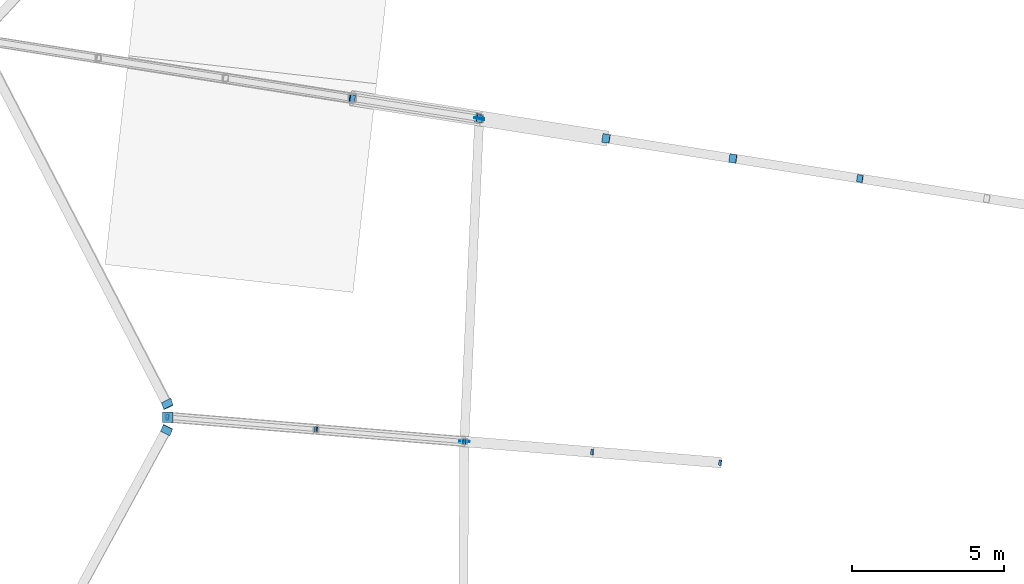
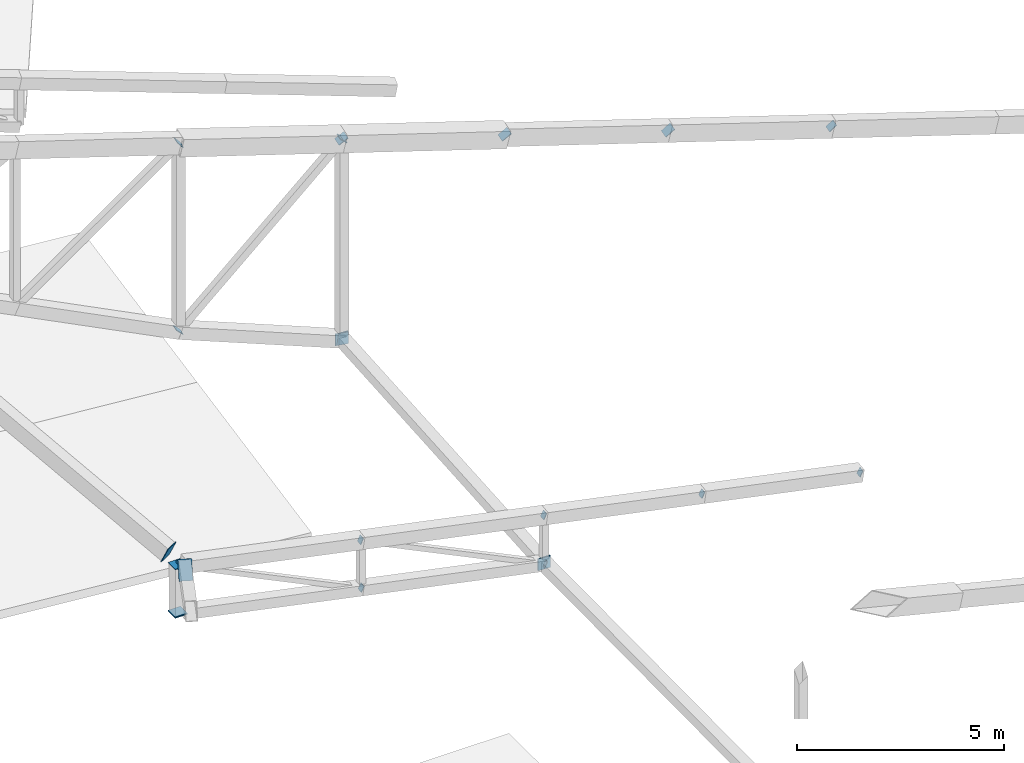
# One storey, part 158 of 188: 23 discrete accessories.
"""IFC4 building model written with IfcOpenShell, lengths in metres."""

import ifcopenshell
import ifcopenshell.guid

model = None  # the IFC model being written
_history = None  # IfcOwnerHistory: only IFC2X3 demands one
_inside = {}  # id of a spatial element -> (the spatial element, [elements in it])
_under = {}  # id of a project, library or spatial element -> (it, [spatial elements below it])
_declared = {}  # id of a project -> (the project, [libraries it declares])
_typed = {}  # id of a type object -> (the type object, [elements of that type])
_made_of = {}  # id of a material, layer set ... -> (it, [elements and type objects made of it])


def new_model(schema):
    """Start an empty IFC model of exactly this schema.

    Asked for "IFC4X3", IfcOpenShell would pick the latest addendum, in which some entities
    have other attributes; the version numbers below select the first issue.
    IFC2X3 requires an IfcOwnerHistory on every rooted entity: one is made here for all.
    """
    global model, _history
    if schema == "IFC4X3":
        model = ifcopenshell.file(schema_version=(4, 3, 0, 0))
    else:
        model = ifcopenshell.file(schema=schema)
    _inside.clear()
    _under.clear()
    _declared.clear()
    _typed.clear()
    _made_of.clear()
    _history = None
    if model.schema == "IFC2X3":
        org = make("IfcOrganization", Name="unknown")
        user = make(
            "IfcPersonAndOrganization",
            ThePerson=make("IfcPerson", FamilyName="unknown"),
            TheOrganization=org,
        )
        app = make(
            "IfcApplication",
            ApplicationDeveloper=org,
            Version="unknown",
            ApplicationFullName="unknown",
            ApplicationIdentifier="unknown",
        )
        _history = make(
            "IfcOwnerHistory",
            OwningUser=user,
            OwningApplication=app,
            ChangeAction="ADDED",
            CreationDate=0,
        )
    return model


def make(cls, **values):
    """One entity of the class cls with the attributes given. An attribute that is None is left unset."""
    return model.create_entity(
        cls, **{name: value for name, value in values.items() if value is not None}
    )


def rooted(cls, **values):
    """An entity with a GlobalId (a new one), such as an element, a storey or a relation."""
    return make(cls, GlobalId=ifcopenshell.guid.new(), OwnerHistory=_history, **values)


def si_unit(unit_type, name, prefix=None):
    """IfcSIUnit, for example si_unit("LENGTHUNIT", "METRE", prefix="MILLI")."""
    return make("IfcSIUnit", UnitType=unit_type, Prefix=prefix, Name=name)


def assignment(units):
    """IfcUnitAssignment: the units of a project."""
    return None if units is None else make("IfcUnitAssignment", Units=units)


def point(xyz):
    """IfcCartesianPoint."""
    return None if xyz is None else make("IfcCartesianPoint", Coordinates=xyz)


def direction(xyz):
    """IfcDirection."""
    return None if xyz is None else make("IfcDirection", DirectionRatios=xyz)


def frame(location, z_axis=None, x_axis=None):
    """IfcAxis2Placement3D, a coordinate frame: its origin and axes. An axis left out is left unset."""
    return make(
        "IfcAxis2Placement3D",
        Location=point(location),
        Axis=direction(z_axis),
        RefDirection=direction(x_axis),
    )


def frame_2d(location, x_axis=None):
    """IfcAxis2Placement2D, a coordinate frame in the plane: its origin and x axis."""
    return make(
        "IfcAxis2Placement2D", Location=point(location), RefDirection=direction(x_axis)
    )


def origin():
    """The frame at (0, 0, 0) with its axes left unset."""
    return frame((0.0, 0.0, 0.0))


def origin_2d():
    """The frame at (0, 0) in the plane with its x axis left unset."""
    return frame_2d((0.0, 0.0))


def place(relative_to, where):
    """IfcLocalPlacement: puts the frame where relative to a parent placement (None: the world)."""
    return make(
        "IfcLocalPlacement", PlacementRelTo=relative_to, RelativePlacement=where
    )


def context(
    kind, dimensions, precision=None, world=None, true_north=None, identifier=None
):
    """IfcGeometricRepresentationContext, for example the 3D "Model" context."""
    return make(
        "IfcGeometricRepresentationContext",
        ContextIdentifier=identifier,
        ContextType=kind,
        CoordinateSpaceDimension=dimensions,
        Precision=precision,
        WorldCoordinateSystem=world,
        TrueNorth=true_north,
    )


def subcontext(parent, identifier, kind, view, scale=None):
    """IfcGeometricRepresentationSubContext, for example "Body" below "Model"."""
    return make(
        "IfcGeometricRepresentationSubContext",
        ContextIdentifier=identifier,
        ContextType=kind,
        ParentContext=parent,
        TargetScale=scale,
        TargetView=view,
    )


def project(units=None, contexts=None):
    """IfcProject with its units and contexts."""
    return rooted(
        "IfcProject",
        Name="project",
        RepresentationContexts=contexts,
        UnitsInContext=assignment(units),
    )


def spatial(cls, under=None, at=None, **own):
    """A site, building, storey or space (cls), placed at a placement, below another one or the project."""
    s = rooted(cls, ObjectPlacement=at, **own)
    if under is not None:
        _under.setdefault(under.id(), (under, []))[1].append(s)
    return s


def profile(cls, at=None, kind="AREA", **sizes):
    """A parametric profile (cls). Its sizes go by their IFC names, for example OverallWidth=200.0."""
    return make(cls, ProfileType=kind, Position=at, **sizes)


def rectangle(**sizes):
    """IfcRectangleProfileDef."""
    return profile("IfcRectangleProfileDef", **sizes)


def extrude(swept, where, along, depth):
    """IfcExtrudedAreaSolid: the profile swept, set in the frame where, extruded along a direction by depth."""
    return make(
        "IfcExtrudedAreaSolid",
        SweptArea=swept,
        Position=where,
        ExtrudedDirection=direction(along),
        Depth=depth,
    )


def shape(context_of_items, identifier, shape_type, items):
    """IfcShapeRepresentation: the items that make up one representation, for example the "Body"."""
    return make(
        "IfcShapeRepresentation",
        ContextOfItems=context_of_items,
        RepresentationIdentifier=identifier,
        RepresentationType=shape_type,
        Items=items,
    )


def material(Name=None, Category=None):
    """IfcMaterial."""
    return make("IfcMaterial", Name=Name, Category=Category)


def material_profile(
    of_material, cross_section, Name=None, Category=None, Priority=None
):
    """IfcMaterialProfile: a cross section and its material."""
    return make(
        "IfcMaterialProfile",
        Name=Name,
        Material=of_material,
        Profile=cross_section,
        Priority=Priority,
        Category=Category,
    )


def profile_set(profiles, Name=None, composite=None):
    """IfcMaterialProfileSet."""
    return make(
        "IfcMaterialProfileSet",
        Name=Name,
        MaterialProfiles=profiles,
        CompositeProfile=composite,
    )


def made_of(thing, what):
    """Note that an element or type object is made of a material, layer set ...; save() writes the relation."""
    if what is not None:
        _made_of.setdefault(what.id(), (what, []))[1].append(thing)
    return thing


def type_object(cls, material=None, **own):
    """A type object (cls), such as IfcWallType, which elements share."""
    return made_of(rooted(cls, **own), material)


def element(
    cls,
    number,
    at=None,
    inside=None,
    cuts=None,
    type_object=None,
    material=None,
    context=None,
    identifier="Body",
    shape_type=None,
    held_by="IfcProductDefinitionShape",
    body=None,
    shapes=None,
    **own,
):
    """One element of the class cls, such as IfcWall. Its Tag is "e" and its number.

    at: its placement. inside: the storey or other place that contains it. cuts: it is an
    opening in that element (IfcRelVoidsElement). A single representation is given by context,
    identifier, shape_type and body (its items); several are given by shapes. held_by: the class
    of the entity that holds the representations. save() writes the other relations.
    """
    e = rooted(cls, Tag="e%d" % number, ObjectPlacement=at, **own)
    if body is not None:
        shapes = [shape(context, identifier, shape_type, body)]
    if shapes is not None:
        e.Representation = make(held_by, Representations=shapes)
    if inside is not None:
        _inside.setdefault(inside.id(), (inside, []))[1].append(e)
    if cuts is not None:
        rooted(
            "IfcRelVoidsElement", RelatingBuildingElement=cuts, RelatedOpeningElement=e
        )
    if type_object is not None:
        _typed.setdefault(type_object.id(), (type_object, []))[1].append(e)
    return made_of(e, material)


def aggregate(whole, parts):
    """IfcRelAggregates: a whole, such as a stair, and the parts it consists of."""
    return rooted("IfcRelAggregates", RelatingObject=whole, RelatedObjects=parts)


def save(model, path):
    """Write the relations noted so far, then the file.

    IfcRelAggregates (storeys below a building ...), IfcRelContainedInSpatialStructure (elements
    in a storey), IfcRelDefinesByType, IfcRelAssociatesMaterial and IfcRelDeclares: one each for
    every whole, place, type object, material and project.
    """
    for whole, parts in _under.values():
        aggregate(whole, parts)
    for where, things in _inside.values():
        rooted(
            "IfcRelContainedInSpatialStructure",
            RelatedElements=things,
            RelatingStructure=where,
        )
    for kind, things in _typed.values():
        rooted("IfcRelDefinesByType", RelatedObjects=things, RelatingType=kind)
    for what, things in _made_of.values():
        rooted("IfcRelAssociatesMaterial", RelatedObjects=things, RelatingMaterial=what)
    for by, libraries in _declared.values():
        rooted("IfcRelDeclares", RelatingContext=by, RelatedDefinitions=libraries)
    model.write(path)


model = new_model("IFC4")

# Units and contexts
model_context = context("Model", 3, precision=1e-05, world=origin(), true_north=direction((0.0, 1.0)))
body_context = subcontext(model_context, "Body", "Model", "MODEL_VIEW")
ifc_project = project(units=[si_unit("LENGTHUNIT", "METRE"), si_unit("AREAUNIT", "SQUARE_METRE"), si_unit("VOLUMEUNIT", "CUBIC_METRE"), si_unit("PLANEANGLEUNIT", "RADIAN"), si_unit("MASSUNIT", "GRAM", prefix="KILO")], contexts=[model_context])

# Site, building, storey
site_placement = place(None, origin())
site = spatial("IfcSite", under=ifc_project, at=site_placement, CompositionType="ELEMENT")
building_placement = place(site_placement, origin())
building = spatial("IfcBuilding", under=site, at=building_placement, Name="Meseta Stadium", CompositionType="ELEMENT")
storey_placement = place(building_placement, frame((0.0, 0.0, 30.0)))
storey = spatial("IfcBuildingStorey", under=building, at=storey_placement, Name="ROOF", CompositionType="ELEMENT", Elevation=30.0)

# Discrete accessories
ifc_material_1 = material(Name="Steel S355", Category="steel")
ifc_material_profile_1 = material_profile(ifc_material_1, rectangle(XDim=0.179931640625, YDim=0.179931640625, at=origin_2d()), Name="PL 180x180")
ifc_profile_set_1 = profile_set([ifc_material_profile_1], Name="Steel S355")
discrete_accessory_type_1 = type_object("IfcDiscreteAccessoryType", Name="End plate 180x180x20", PredefinedType="ANCHORPLATE", material=ifc_profile_set_1)
discrete_accessory_1_placement = place(storey_placement, frame((-76.43798828125, 42.25634765625, 0.93896484375), z_axis=(-0.895999350744, 0.084756695341, 0.435891576038), x_axis=(-0.094174191159, -0.995555735115, 0.0)))
element("IfcDiscreteAccessory", 1, at=discrete_accessory_1_placement, inside=storey, type_object=discrete_accessory_type_1, Name="End plate of ROOF TRUSS RT-29 diagonal", PredefinedType="ANCHORPLATE", context=body_context, shape_type="SweptSolid", body=[
    extrude(rectangle(XDim=0.179931640625, YDim=0.179931640625, at=origin_2d()), origin(), (0.0, 0.0, 1.0), 0.020263671875),
])
discrete_accessory_2_placement = place(storey_placement, frame((-80.64599609375, 42.6025390625, 1.572509765625), z_axis=(-0.901567911708, 0.073100100949, 0.426417255537), x_axis=(-0.080815868766, -0.996729048115, 0.0)))
element("IfcDiscreteAccessory", 2, at=discrete_accessory_2_placement, inside=storey, type_object=discrete_accessory_type_1, Name="End plate of ROOF TRUSS RT-29 diagonal", PredefinedType="ANCHORPLATE", context=body_context, shape_type="SweptSolid", body=[
    extrude(rectangle(XDim=0.179931640625, YDim=0.179931640625, at=origin_2d()), origin(), (0.0, 0.0, 1.0), 0.02001953125),
])
discrete_accessory_3_placement = place(storey_placement, frame((-84.85400390625, 42.948486328125, 2.205810546875), z_axis=(-0.896854406293, 0.072717924835, 0.436307549007), x_axis=(-0.080815868766, -0.996729048115, 0.0)))
element("IfcDiscreteAccessory", 3, at=discrete_accessory_3_placement, inside=storey, type_object=discrete_accessory_type_1, Name="End plate of ROOF TRUSS RT-29 diagonal", PredefinedType="ANCHORPLATE", context=body_context, shape_type="SweptSolid", body=[
    extrude(rectangle(XDim=0.179931640625, YDim=0.179931640625, at=origin_2d()), origin(), (0.0, 0.0, 1.0), 0.020263671875),
])
for number, where, z_axis, x_axis, name in (
    (4, (-84.835693359375, 42.947021484375, 0.7919921875), (-0.912870929175, 0.073029674334, 0.401663208837), (-0.079745222283, -0.996815278536, 0.0), "End plate of ROOF TRUSS RT-29 diagonal"),
    (5, (-89.72705078125, 43.349365234375, 2.939453125), (-0.912870929175, 0.073029674334, 0.401663208837), (-0.079745222283, -0.996815278536, 0.0), "End plate of ROOF TRUSS RT-29 diagonal"),
    (6, (-89.708740234375, 43.34765625, 1.525634765625), (-0.911993136001, 0.08511935936, 0.40127697984), (-0.092929451602, -0.995672695731, 0.0), "End plate of ROOF TRUSS RT-29 diagonal"),
):
    element("IfcDiscreteAccessory", number, at=place(storey_placement, frame(where, z_axis=z_axis, x_axis=x_axis)), inside=storey, type_object=discrete_accessory_type_1, Name=name, PredefinedType="ANCHORPLATE", context=body_context, shape_type="SweptSolid", body=[
        extrude(rectangle(XDim=0.179931640625, YDim=0.179931640625, at=origin_2d()), origin(), (0.0, 0.0, 1.0), 0.02001953125),
    ])
discrete_accessory_4_placement = place(storey_placement, frame((-94.60009765625, 43.75, 3.673095703125), z_axis=(-0.910808035252, 0.073849300156, 0.406171150856), x_axis=(-0.080815868766, -0.996729048115, 0.0)))
element("IfcDiscreteAccessory", 7, at=discrete_accessory_4_placement, inside=storey, type_object=discrete_accessory_type_1, Name="End plate of ROOF TRUSS RT-29 diagonal", PredefinedType="ANCHORPLATE", context=body_context, shape_type="SweptSolid", body=[
    extrude(rectangle(XDim=0.179931640625, YDim=0.179931640625, at=origin_2d()), origin(), (0.0, 0.0, 1.0), 0.019775390625),
])
ifc_material_2 = material(Name="Steel S355", Category="steel")
ifc_material_profile_2 = material_profile(ifc_material_2, rectangle(XDim=0.239990234375, YDim=0.239990234375, at=origin_2d()), Name="PL 240x240")
ifc_profile_set_2 = profile_set([ifc_material_profile_2], Name="Steel S355")
discrete_accessory_type_2 = type_object("IfcDiscreteAccessoryType", Name="End plate 240x240x20", PredefinedType="ANCHORPLATE", material=ifc_profile_set_2)
for number, where, z_axis, x_axis, name in (
    (8, (-71.85205078125, 51.588134765625, 3.87060546875), (-0.633534208227, 0.097466801266, 0.767551059967), (-0.152057184254, -0.988371697651, 0.0), "End plate of ROOF TRUSS RT-28 diagonal"),
    (9, (-84.349853515625, 53.563232421875, 6.697998046875), (-0.671631280833, 0.1099033005, -0.73268867), (-0.161488568111, -0.986874582898, 0.0), "End plate of ROOF TRUSS RT-28 diagonal"),
    (10, (-88.535400390625, 54.224853515625, 2.121337890625), (-0.672484210006, 0.097815885092, -0.733619138188), (-0.143939845714, -0.989586439285, 0.0), "End plate of ROOF TRUSS RT-28 diagonal"),
    (11, (-88.5205078125, 54.222412109375, 7.634521484375), (-0.743184359651, 0.121833501582, -0.657900908544), (-0.161775027066, -0.986827665106, 0.0), "End plate of ROOF TRUSS RT-28 diagonal"),
):
    element("IfcDiscreteAccessory", number, at=place(storey_placement, frame(where, z_axis=z_axis, x_axis=x_axis)), inside=storey, type_object=discrete_accessory_type_2, Name=name, PredefinedType="ANCHORPLATE", context=body_context, shape_type="SweptSolid", body=[
        extrude(rectangle(XDim=0.239990234375, YDim=0.239990234375, at=origin_2d()), origin(), (0.0, 0.0, 1.0), 0.02001953125),
    ])
ifc_material_3 = material(Name="Steel S355", Category="steel")
ifc_material_profile_3 = material_profile(ifc_material_3, rectangle(XDim=0.2900390625, YDim=0.2900390625, at=origin_2d()), Name="PL 290x290")
ifc_profile_set_3 = profile_set([ifc_material_profile_3], Name="Steel S355")
discrete_accessory_type_3 = type_object("IfcDiscreteAccessoryType", Name="End plate 290x290x20", PredefinedType="ANCHORPLATE", material=ifc_profile_set_3)
for number, where, z_axis, x_axis, name in (
    (12, (-76.0224609375, 52.247314453125, 4.808349609375), (-0.599750260135, 0.085678608591, 0.795587079771), (-0.141421356237, -0.989949493661, 0.0), "End plate of ROOF TRUSS RT-28 diagonal"),
    (13, (-80.19287109375, 52.90625, 5.745849609375), (-0.563918618238, 0.085813702775, 0.821359726564), (-0.150441996986, -0.98861883734, 0.0), "End plate of ROOF TRUSS RT-28 diagonal"),
    (14, (-84.36328125, 53.5654296875, 6.683349609375), (-0.535709697438, 0.085226542774, 0.840090207346), (-0.157115048735, -0.987580306335, 0.0), "End plate of ROOF TRUSS RT-28 diagonal"),
):
    element("IfcDiscreteAccessory", number, at=place(storey_placement, frame(where, z_axis=z_axis, x_axis=x_axis)), inside=storey, type_object=discrete_accessory_type_3, Name=name, PredefinedType="ANCHORPLATE", context=body_context, shape_type="SweptSolid", body=[
        extrude(rectangle(XDim=0.2900390625, YDim=0.2900390625, at=origin_2d()), origin(), (0.0, 0.0, 1.0), 0.02001953125),
    ])
ifc_material_4 = material(Name="Steel S355", Category="steel")
ifc_material_profile_4 = material_profile(ifc_material_4, rectangle(XDim=0.340087890625, YDim=0.340087890625, at=origin_2d()), Name="PL 340x340")
ifc_profile_set_4 = profile_set([ifc_material_profile_4], Name="Steel S355")
discrete_accessory_type_4 = type_object("IfcDiscreteAccessoryType", Name="End plate 340x340x20", PredefinedType="ANCHORPLATE", material=ifc_profile_set_4)
for number, where, z_axis, x_axis, name in (
    (15, (-94.60009765625, 43.75, 2.2470703125), (0.0, 0.0, 1.0), (1.0, 0.0, 0.0), "End plate of ROOF TRUSS RT-29 post"),
    (16, (-94.60009765625, 43.75, 3.673095703125), (0.0, 0.0, 1.0), (1.0, 0.0, 0.0), "End plate of ROOF TRUSS RT-29 post"),
    (17, (-94.60009765625, 43.75, 2.26708984375), (0.0, 0.0, 1.0), (1.0, 0.0, 0.0), "End plate of ROOF RIM POST RT-29"),
    (18, (-84.36328125, 53.5654296875, 0.800048828125), (-0.231004106598, -0.972648869888, 0.024316221747), (0.97293655072, -0.231072430796, 0.0), "End plate of ROOF PIVOT STRUT RT-27/28"),
    (19, (-84.3623046875, 53.58544921875, 0.800048828125), (-0.048722553713, -0.998812351125, 0.0), (0.998812351125, -0.048722553713, 0.0), "End plate of ROOF PIVOT STRUT RT-28/29"),
    (20, (-84.85400390625, 42.948486328125, 0.800048828125), (-0.048722553713, -0.998812351125, 0.0), (0.998812351125, -0.048722553713, 0.0), "End plate of ROOF PIVOT STRUT RT-28/29"),
    (21, (-84.853759765625, 42.968505859375, 0.800048828125), (-0.012194215217, -0.999925647793, 0.0), (0.999925647793, -0.012194215217, 0.0), "End plate of ROOF PIVOT STRUT RT-29/30"),
):
    element("IfcDiscreteAccessory", number, at=place(storey_placement, frame(where, z_axis=z_axis, x_axis=x_axis)), inside=storey, type_object=discrete_accessory_type_4, Name=name, PredefinedType="ANCHORPLATE", context=body_context, shape_type="SweptSolid", body=[
        extrude(rectangle(XDim=0.340087890625, YDim=0.340087890625, at=origin_2d()), origin(), (0.0, 0.0, 1.0), 0.02001953125),
    ])
ifc_material_5 = material(Name="Steel S355", Category="steel")
ifc_material_profile_5 = material_profile(ifc_material_5, rectangle(XDim=0.340087890625, YDim=0.5400390625, at=origin_2d()), Name="PL 340x540")
ifc_profile_set_5 = profile_set([ifc_material_profile_5], Name="Steel S355")
discrete_accessory_type_5 = type_object("IfcDiscreteAccessoryType", Name="End plate 340x540x20", PredefinedType="ANCHORPLATE", material=ifc_profile_set_5)
for number, where, z_axis, x_axis, name in (
    (22, (-94.614013671875, 44.189453125, 3.794677734375), (0.414233905379, -0.804101110442, -0.426417255537), (0.900852254724, 0.429081169745, 0.065989127355), "End plate of RIM RING BEAM 29"),
    (23, (-94.628662109375, 43.334716796875, 3.779052734375), (-0.428393042953, -0.795587079771, 0.428393042953), (0.888311877975, -0.457630143298, 0.038427326137), "End plate of RIM RING BEAM 30"),
):
    element("IfcDiscreteAccessory", number, at=place(storey_placement, frame(where, z_axis=z_axis, x_axis=x_axis)), inside=storey, type_object=discrete_accessory_type_5, Name=name, PredefinedType="ANCHORPLATE", context=body_context, shape_type="SweptSolid", body=[
        extrude(rectangle(XDim=0.340087890625, YDim=0.5400390625, at=origin_2d()), origin(), (0.0, 0.0, 1.0), 0.02001953125),
    ])

save(model, "model.ifc")
